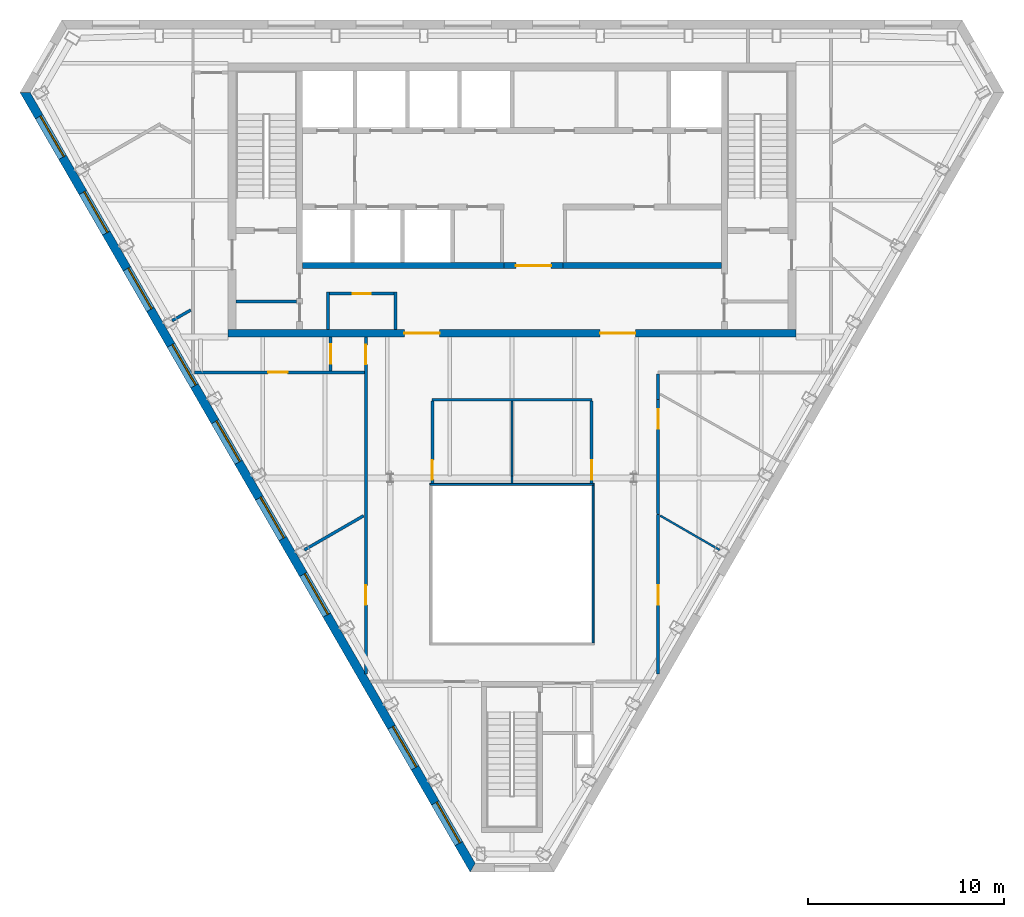
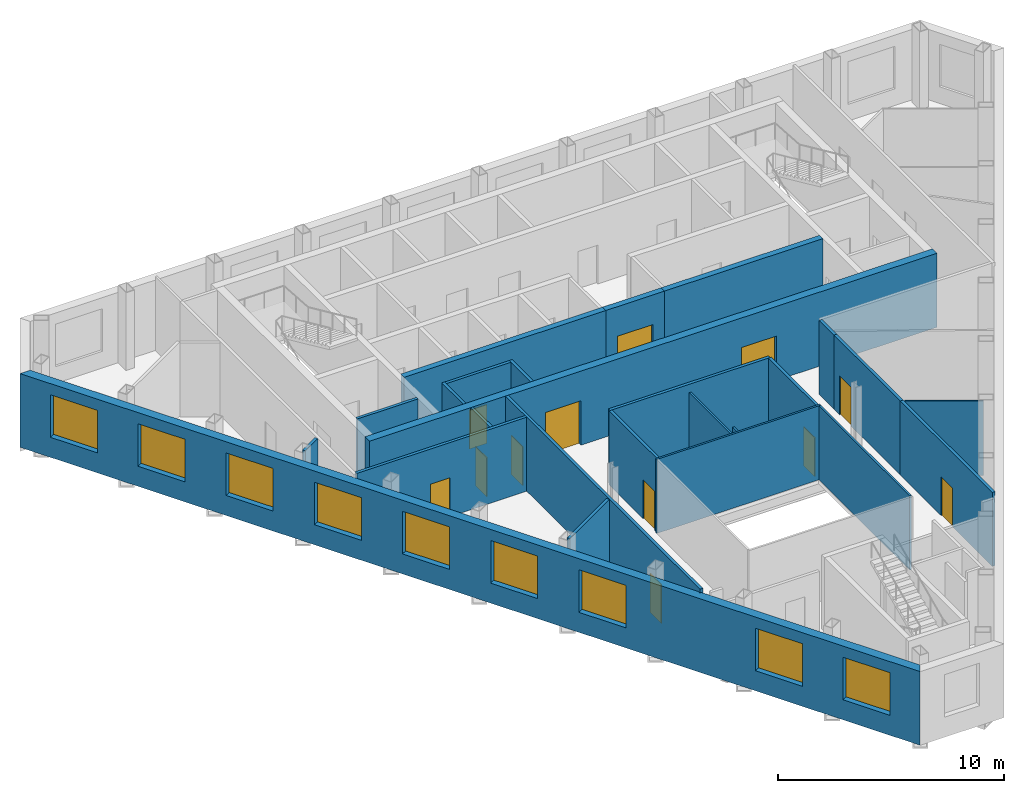
# One storey, part 4 of 9: 25 walls, 12 doors, 9 windows, 21 openings.
"""IFC4 building model written with IfcOpenShell, lengths in metres."""

from ifc_helpers import new_model, si_unit, direction, frame, frame_2d, origin, place, context, subcontext, project, spatial, polyline, rectangle, outline, extrude, material, layer, layer_set, type_object, element, fill, save


model = new_model("IFC4")

# Units and contexts
model_context = context("Model", 3, precision=1e-05, world=origin(), true_north=direction((0.0, 1.0)))
body_context = subcontext(model_context, "Body", "Model", "MODEL_VIEW")
ifc_project = project(units=[si_unit("LENGTHUNIT", "METRE"), si_unit("AREAUNIT", "SQUARE_METRE"), si_unit("VOLUMEUNIT", "CUBIC_METRE"), si_unit("PLANEANGLEUNIT", "RADIAN"), si_unit("MASSUNIT", "GRAM", prefix="KILO")], contexts=[model_context])

# Site, building, storey
site_placement = place(None, origin())
site = spatial("IfcSite", under=ifc_project, at=site_placement, CompositionType="ELEMENT")
building_placement = place(site_placement, origin())
building = spatial("IfcBuilding", under=site, at=building_placement, Name="Njiva Tower", CompositionType="ELEMENT")
storey_placement = place(building_placement, frame((0.0, 0.0, 321.0)))
storey = spatial("IfcBuildingStorey", under=building, at=storey_placement, Name="L73", CompositionType="ELEMENT", Elevation=321.0)

# Walls
ifc_material_1 = material(Name="Blockwork", Category="masonry")
ifc_layer_1 = layer(ifc_material_1, 0.15)
ifc_layer_set_1 = layer_set([ifc_layer_1], Name="Blockwork")
wall_type_1 = type_object("IfcWallType", Name="WT1 Compartment partition 150", PredefinedType="PARTITIONING", material=ifc_layer_set_1)
wall_1_placement = place(storey_placement, frame((-14.1, 5.825, 0.0), z_axis=(0.0, 0.0, 1.0), x_axis=(1.0, 0.0, 0.0)))
element("IfcWall", 1, at=wall_1_placement, inside=storey, type_object=wall_type_1, Name="Room wall A", PredefinedType="PARTITIONING", context=body_context, shape_type="SweptSolid", body=[
    extrude(rectangle(XDim=3.1, YDim=0.15, at=frame_2d((1.55, 0.0))), origin(), (0.0, 0.0, 1.0), 4.0),
])
for number, where, z_axis, x_axis, name in (
    (2, (-9.4, 4.4, 0.0), (0.0, 0.0, 1.0), (0.0, 1.0, 0.0), "First aid room wall west"),
    (3, (-5.95, 4.4, 0.0), (0.0, 0.0, 1.0), (0.0, 1.0, 0.0), "First aid room wall east"),
):
    element("IfcWall", number, at=place(storey_placement, frame(where, z_axis=z_axis, x_axis=x_axis)), inside=storey, type_object=wall_type_1, Name=name, PredefinedType="PARTITIONING", context=body_context, shape_type="SweptSolid", body=[
        extrude(rectangle(XDim=1.895, YDim=0.15, at=frame_2d((0.9475, 0.0))), origin(), (0.0, 0.0, 1.0), 4.0),
    ])

# Wall, opening, door
wall_2_placement = place(storey_placement, frame((-9.325, 6.22, 0.0), z_axis=(0.0, 0.0, 1.0), x_axis=(1.0, 0.0, 0.0)))
wall_2 = element("IfcWall", 4, at=wall_2_placement, inside=storey, type_object=wall_type_1, Name="First aid room wall north", PredefinedType="PARTITIONING", context=body_context, shape_type="SweptSolid", body=[
    extrude(rectangle(XDim=3.3, YDim=0.15, at=frame_2d((1.65, 0.0))), origin(), (0.0, 0.0, 1.0), 4.0),
])
opening_1_placement = place(wall_2_placement, frame((1.2, 0.0, 0.0)))
opening_1 = element("IfcOpeningElement", 5, at=opening_1_placement, cuts=wall_2, Name="Opening S25-D923", PredefinedType="OPENING", context=body_context, shape_type="SweptSolid", body=[
    extrude(rectangle(XDim=0.9, YDim=2.1, at=frame_2d((0.45, 1.05))), frame((0.0, 0.085, 0.0), z_axis=(0.0, -1.0, 0.0), x_axis=(1.0, 0.0, 0.0)), (0.0, 0.0, 1.0), 0.17),
])
ifc_material_2 = material(Name="Steel fire door, painted", Category="steel")
door_type_1 = type_object("IfcDoorType", Name="D6 Fire-rated door 900x2100", OperationType="SINGLE_SWING_LEFT", PredefinedType="DOOR", material=ifc_material_2)
door_1_placement = place(opening_1_placement, origin())
door_1 = element("IfcDoor", 6, at=door_1_placement, inside=storey, type_object=door_type_1, Name="First aid room door", OperationType="SINGLE_SWING_RIGHT", OverallHeight=2.1, OverallWidth=0.9, PredefinedType="DOOR", context=body_context, shape_type="SweptSolid", body=[
    extrude(rectangle(XDim=0.9, YDim=2.1, at=frame_2d((0.45, 1.05))), frame((0.0, 0.025, 0.0), z_axis=(0.0, -1.0, 0.0), x_axis=(1.0, 0.0, 0.0)), (0.0, 0.0, 1.0), 0.05),
])
fill(opening_1, door_1)

# Wall, openings, doors
ifc_material_3 = material(Name="Concrete C60/75", Category="concrete")
ifc_layer_2 = layer(ifc_material_3, 0.4)
ifc_layer_set_2 = layer_set([ifc_layer_2], Name="Concrete C60/75")
wall_type_2 = type_object("IfcWallType", Name="WT11 Core wall 400", PredefinedType="SHEAR", material=ifc_layer_set_2)
wall_3_placement = place(storey_placement, frame((-14.5, 4.2, 0.0), z_axis=(0.0, 0.0, 1.0), x_axis=(1.0, 0.0, 0.0)))
wall_3 = element("IfcWall", 7, at=wall_3_placement, inside=storey, type_object=wall_type_2, Name="Core wall south", PredefinedType="SHEAR", context=body_context, shape_type="SweptSolid", body=[
    extrude(rectangle(XDim=29.0, YDim=0.4, at=frame_2d((14.5, 0.0))), origin(), (0.0, 0.0, 1.0), 4.0),
])
opening_2_placement = place(wall_3_placement, frame((9.0, 0.0, 0.0)))
opening_2 = element("IfcOpeningElement", 8, at=opening_2_placement, cuts=wall_3, Name="Opening S25-D925", PredefinedType="OPENING", context=body_context, shape_type="SweptSolid", body=[
    extrude(rectangle(XDim=1.8, YDim=2.4, at=frame_2d((0.9, 1.2))), frame((0.0, 0.21, 0.0), z_axis=(0.0, -1.0, 0.0), x_axis=(1.0, 0.0, 0.0)), (0.0, 0.0, 1.0), 0.42),
])
opening_3_placement = place(wall_3_placement, frame((19.0, 0.0, 0.0)))
opening_3 = element("IfcOpeningElement", 9, at=opening_3_placement, cuts=wall_3, Name="Opening S25-D926", PredefinedType="OPENING", context=body_context, shape_type="SweptSolid", body=[
    extrude(rectangle(XDim=1.8, YDim=2.4, at=frame_2d((0.9, 1.2))), frame((0.0, 0.21, 0.0), z_axis=(0.0, -1.0, 0.0), x_axis=(1.0, 0.0, 0.0)), (0.0, 0.0, 1.0), 0.42),
])
ifc_material_4 = material(Name="Steel and glass door", Category="steel")
door_type_2 = type_object("IfcDoorType", Name="D3 Core entrance door 1800x2400", OperationType="DOUBLE_DOOR_SINGLE_SWING", PredefinedType="DOOR", material=ifc_material_4)
door_2_placement = place(opening_2_placement, origin())
door_2 = element("IfcDoor", 10, at=door_2_placement, inside=storey, type_object=door_type_2, Name="Core entrance door", OperationType="DOUBLE_DOOR_SINGLE_SWING", OverallHeight=2.4, OverallWidth=1.8, PredefinedType="DOOR", context=body_context, shape_type="SweptSolid", body=[
    extrude(rectangle(XDim=1.8, YDim=2.4, at=frame_2d((0.9, 1.2))), frame((0.0, 0.025, 0.0), z_axis=(0.0, -1.0, 0.0), x_axis=(1.0, 0.0, 0.0)), (0.0, 0.0, 1.0), 0.05),
])
fill(opening_2, door_2)
door_3_placement = place(opening_3_placement, origin())
door_3 = element("IfcDoor", 11, at=door_3_placement, inside=storey, type_object=door_type_2, Name="Core entrance door", OperationType="DOUBLE_DOOR_SINGLE_SWING", OverallHeight=2.4, OverallWidth=1.8, PredefinedType="DOOR", context=body_context, shape_type="SweptSolid", body=[
    extrude(rectangle(XDim=1.8, YDim=2.4, at=frame_2d((0.9, 1.2))), frame((0.0, 0.025, 0.0), z_axis=(0.0, -1.0, 0.0), x_axis=(1.0, 0.0, 0.0)), (0.0, 0.0, 1.0), 0.05),
])
fill(opening_3, door_3)

# Walls
ifc_material_5 = material(Name="Gypsum board on steel studs", Category="gypsum")
ifc_layer_3 = layer(ifc_material_5, 0.1)
ifc_layer_set_3 = layer_set([ifc_layer_3], Name="Gypsum board on steel studs")
wall_type_3 = type_object("IfcWallType", Name="WT20 Gypsum partition 100", PredefinedType="PARTITIONING", material=ifc_layer_set_3)
wall_4_placement = place(storey_placement, frame((-0.001, 0.725, 0.0), z_axis=(0.0, 0.0, 1.0), x_axis=(0.000235294111, -0.999999972318, 0.0)))
element("IfcWall", 12, at=wall_4_placement, inside=storey, type_object=wall_type_3, Name="Partition S25-P014", PredefinedType="PARTITIONING", context=body_context, shape_type="SweptSolid", body=[
    extrude(rectangle(XDim=3.825, YDim=0.1, at=frame_2d((1.9125, 0.0))), origin(), (0.0, 0.0, 1.0), 3.55),
])
wall_5_placement = place(storey_placement, frame((-0.0001, -3.1, 0.0), z_axis=(0.0, 0.0, 1.0), x_axis=(0.000263157886, -0.999999965374, 0.0)))
element("IfcWall", 13, at=wall_5_placement, inside=storey, type_object=wall_type_3, Name="Partition S25-P014A", PredefinedType="PARTITIONING", context=body_context, shape_type="SweptSolid", body=[
    extrude(rectangle(XDim=0.38, YDim=0.1, at=frame_2d((0.19, 0.0))), origin(), (0.0, 0.0, 1.0), 4.0),
])
wall_6_placement = place(storey_placement, frame((7.57, -5.121, 0.0), z_axis=(0.0, 0.0, 1.0), x_axis=(0.865933726818, -0.500158755556, 0.0)))
element("IfcWall", 14, at=wall_6_placement, inside=storey, type_object=wall_type_3, Name="Partition S25-P022", PredefinedType="PARTITIONING", context=body_context, shape_type="SweptSolid", body=[
    extrude(rectangle(XDim=3.5049, YDim=0.1, at=frame_2d((1.7524, 0.0))), origin(), (0.0, 0.0, 1.0), 4.0),
])
ifc_layer_4 = layer(ifc_material_5, 0.15)
ifc_layer_set_4 = layer_set([ifc_layer_4], Name="Gypsum board on steel studs")
wall_type_4 = type_object("IfcWallType", Name="WT21 Compartment wall 150", PredefinedType="PARTITIONING", material=ifc_layer_set_4)
wall_7_placement = place(storey_placement, frame((-17.365, 4.836, 0.0), z_axis=(0.0, 0.0, 1.0), x_axis=(0.86650329071, 0.499171360545, 0.0)))
element("IfcWall", 15, at=wall_7_placement, inside=storey, type_object=wall_type_4, Name="Partition S25-P003", PredefinedType="PARTITIONING", context=body_context, shape_type="SweptSolid", body=[
    extrude(rectangle(XDim=1.0998, YDim=0.15, at=frame_2d((0.5499, 0.0))), origin(), (0.0, 0.0, 1.0), 4.0),
])

# Wall, opening, door
wall_8_placement = place(storey_placement, frame((-16.225, 2.2, 0.0), z_axis=(0.0, 0.0, 1.0), x_axis=(1.0, 0.0, 0.0)))
wall_8 = element("IfcWall", 16, at=wall_8_placement, inside=storey, type_object=wall_type_4, Name="Partition S25-P006", PredefinedType="PARTITIONING", context=body_context, shape_type="SweptSolid", body=[
    extrude(rectangle(XDim=8.68, YDim=0.15, at=frame_2d((4.34, 0.0))), origin(), (0.0, 0.0, 1.0), 4.0),
])
opening_4_placement = place(wall_8_placement, frame((3.765, 0.0, 0.0)))
opening_4 = element("IfcOpeningElement", 17, at=opening_4_placement, cuts=wall_8, Name="Opening S25-D003", PredefinedType="OPENING", context=body_context, shape_type="SweptSolid", body=[
    extrude(rectangle(XDim=1.0, YDim=2.1, at=frame_2d((0.5, 1.05))), frame((0.0, 0.085, 0.0), z_axis=(0.0, -1.0, 0.0), x_axis=(1.0, 0.0, 0.0)), (0.0, 0.0, 1.0), 0.17),
])
ifc_material_6 = material(Name="Steel fire door set", Category="steel")
door_type_3 = type_object("IfcDoorType", Name="D37 Fire door 1000x2100", OperationType="SINGLE_SWING_LEFT", PredefinedType="DOOR", material=ifc_material_6)
door_4_placement = place(opening_4_placement, origin())
door_4 = element("IfcDoor", 18, at=door_4_placement, inside=storey, type_object=door_type_3, Name="Door S25-D003", OperationType="SINGLE_SWING_LEFT", OverallHeight=2.1, OverallWidth=1.0, PredefinedType="DOOR", context=body_context, shape_type="SweptSolid", body=[
    extrude(rectangle(XDim=1.0, YDim=2.1, at=frame_2d((0.5, 1.05))), frame((0.0, 0.025, 0.0), z_axis=(0.0, -1.0, 0.0), x_axis=(1.0, 0.0, 0.0)), (0.0, 0.0, 1.0), 0.05),
])
fill(opening_4, door_4)

# Wall
wall_9_placement = place(storey_placement, frame((-10.605, -6.873, 0.0), z_axis=(0.0, 0.0, 1.0), x_axis=(0.866190356265, 0.499714185023, 0.0)))
element("IfcWall", 19, at=wall_9_placement, inside=storey, type_object=wall_type_4, Name="Partition S25-P008", PredefinedType="PARTITIONING", context=body_context, shape_type="SweptSolid", body=[
    extrude(rectangle(XDim=3.49, YDim=0.15, at=frame_2d((1.745, 0.0))), origin(), (0.0, 0.0, 1.0), 4.0),
])

# Wall, opening, door
wall_10_placement = place(storey_placement, frame((-9.27, 2.275, 0.0), z_axis=(0.0, 0.0, 1.0), x_axis=(0.0, 1.0, 0.0)))
wall_10 = element("IfcWall", 20, at=wall_10_placement, inside=storey, type_object=wall_type_4, Name="Partition S25-P009", PredefinedType="PARTITIONING", context=body_context, shape_type="SweptSolid", body=[
    extrude(rectangle(XDim=1.725, YDim=0.15, at=frame_2d((0.8625, 0.0))), origin(), (0.0, 0.0, 1.0), 4.0),
])
opening_5_placement = place(wall_10_placement, frame((0.362, 0.0, 0.0)))
opening_5 = element("IfcOpeningElement", 21, at=opening_5_placement, cuts=wall_10, Name="Opening S25-D005", PredefinedType="OPENING", context=body_context, shape_type="SweptSolid", body=[
    extrude(rectangle(XDim=1.0, YDim=2.1, at=frame_2d((0.5, 1.05))), frame((0.0, 0.085, 0.0), z_axis=(0.0, -1.0, 0.0), x_axis=(1.0, 0.0, 0.0)), (0.0, 0.0, 1.0), 0.17),
])
door_5_placement = place(opening_5_placement, origin())
door_5 = element("IfcDoor", 22, at=door_5_placement, inside=storey, type_object=door_type_3, Name="Door S25-D005", OperationType="SINGLE_SWING_RIGHT", OverallHeight=2.1, OverallWidth=1.0, PredefinedType="DOOR", context=body_context, shape_type="SweptSolid", body=[
    extrude(rectangle(XDim=1.0, YDim=2.1, at=frame_2d((0.5, 1.05))), frame((0.0, 0.025, 0.0), z_axis=(0.0, -1.0, 0.0), x_axis=(1.0, 0.0, 0.0)), (0.0, 0.0, 1.0), 0.05),
])
fill(opening_5, door_5)

# Wall, openings, doors
wall_11_placement = place(storey_placement, frame((-7.47, -13.203, 0.0), z_axis=(0.0, 0.0, 1.0), x_axis=(0.0, 1.0, 0.0)))
wall_11 = element("IfcWall", 23, at=wall_11_placement, inside=storey, type_object=wall_type_4, Name="Partition S25-P010", PredefinedType="PARTITIONING", context=body_context, shape_type="SweptSolid", body=[
    extrude(rectangle(XDim=17.203, YDim=0.15, at=frame_2d((8.6015, 0.0))), origin(), (0.0, 0.0, 1.0), 4.0),
])
opening_6_placement = place(wall_11_placement, frame((3.519, 0.0, 0.0)))
opening_6 = element("IfcOpeningElement", 24, at=opening_6_placement, cuts=wall_11, Name="Opening S25-D006", PredefinedType="OPENING", context=body_context, shape_type="SweptSolid", body=[
    extrude(rectangle(XDim=1.0, YDim=2.1, at=frame_2d((0.5, 1.05))), frame((0.0, 0.085, 0.0), z_axis=(0.0, -1.0, 0.0), x_axis=(1.0, 0.0, 0.0)), (0.0, 0.0, 1.0), 0.17),
])
opening_7_placement = place(wall_11_placement, frame((15.803, 0.0, 0.0)))
opening_7 = element("IfcOpeningElement", 25, at=opening_7_placement, cuts=wall_11, Name="Opening S25-D007", PredefinedType="OPENING", context=body_context, shape_type="SweptSolid", body=[
    extrude(rectangle(XDim=1.0, YDim=2.1, at=frame_2d((0.5, 1.05))), frame((0.0, 0.085, 0.0), z_axis=(0.0, -1.0, 0.0), x_axis=(1.0, 0.0, 0.0)), (0.0, 0.0, 1.0), 0.17),
])
door_6_placement = place(opening_6_placement, origin())
door_6 = element("IfcDoor", 26, at=door_6_placement, inside=storey, type_object=door_type_3, Name="Door S25-D006", OperationType="SINGLE_SWING_RIGHT", OverallHeight=2.1, OverallWidth=1.0, PredefinedType="DOOR", context=body_context, shape_type="SweptSolid", body=[
    extrude(rectangle(XDim=1.0, YDim=2.1, at=frame_2d((0.5, 1.05))), frame((0.0, 0.025, 0.0), z_axis=(0.0, -1.0, 0.0), x_axis=(1.0, 0.0, 0.0)), (0.0, 0.0, 1.0), 0.05),
])
fill(opening_6, door_6)
door_7_placement = place(opening_7_placement, origin())
door_7 = element("IfcDoor", 27, at=door_7_placement, inside=storey, type_object=door_type_3, Name="Door S25-D007", OperationType="SINGLE_SWING_LEFT", OverallHeight=2.1, OverallWidth=1.0, PredefinedType="DOOR", context=body_context, shape_type="SweptSolid", body=[
    extrude(rectangle(XDim=1.0, YDim=2.1, at=frame_2d((0.5, 1.05))), frame((0.0, 0.025, 0.0), z_axis=(0.0, -1.0, 0.0), x_axis=(1.0, 0.0, 0.0)), (0.0, 0.0, 1.0), 0.05),
])
fill(opening_7, door_7)

# Wall
wall_12_placement = place(storey_placement, frame((-4.082, 0.8, 0.0), z_axis=(0.0, 0.0, 1.0), x_axis=(1.0, 0.0, 0.0)))
element("IfcWall", 28, at=wall_12_placement, inside=storey, type_object=wall_type_4, Name="Partition S25-P012", PredefinedType="PARTITIONING", context=body_context, shape_type="SweptSolid", body=[
    extrude(rectangle(XDim=8.163, YDim=0.15, at=frame_2d((4.0815, 0.0))), origin(), (0.0, 0.0, 1.0), 4.0),
])

# Wall, opening, door
wall_13_placement = place(storey_placement, frame((-4.07, 0.725, 0.0), z_axis=(0.0, 0.0, 1.0), x_axis=(0.000237812122, -0.999999971723, 0.0)))
wall_13 = element("IfcWall", 29, at=wall_13_placement, inside=storey, type_object=wall_type_4, Name="Partition S25-P013", PredefinedType="PARTITIONING", context=body_context, shape_type="SweptSolid", body=[
    extrude(rectangle(XDim=4.205, YDim=0.15, at=frame_2d((2.1025, 0.0))), origin(), (0.0, 0.0, 1.0), 4.0),
])
opening_8_placement = place(wall_13_placement, frame((3.005, 0.0, 0.0)))
opening_8 = element("IfcOpeningElement", 30, at=opening_8_placement, cuts=wall_13, Name="Opening S25-D009", PredefinedType="OPENING", context=body_context, shape_type="SweptSolid", body=[
    extrude(rectangle(XDim=1.0, YDim=2.1, at=frame_2d((0.5, 1.05))), frame((0.0, 0.085, 0.0), z_axis=(0.0, -1.0, 0.0), x_axis=(1.0, 0.0, 0.0)), (0.0, 0.0, 1.0), 0.17),
])
door_8_placement = place(opening_8_placement, origin())
door_8 = element("IfcDoor", 31, at=door_8_placement, inside=storey, type_object=door_type_3, Name="Door S25-D009", OperationType="SINGLE_SWING_LEFT", OverallHeight=2.1, OverallWidth=1.0, PredefinedType="DOOR", context=body_context, shape_type="SweptSolid", body=[
    extrude(rectangle(XDim=1.0, YDim=2.1, at=frame_2d((0.5, 1.05))), frame((0.0, 0.025, 0.0), z_axis=(0.0, -1.0, 0.0), x_axis=(1.0, 0.0, 0.0)), (0.0, 0.0, 1.0), 0.05),
])
fill(opening_8, door_8)

wall_14_placement = place(storey_placement, frame((4.069, 0.725, 0.0), z_axis=(0.0, 0.0, 1.0), x_axis=(0.000237812122, -0.999999971723, 0.0)))
wall_14 = element("IfcWall", 32, at=wall_14_placement, inside=storey, type_object=wall_type_4, Name="Partition S25-P015", PredefinedType="PARTITIONING", context=body_context, shape_type="SweptSolid", body=[
    extrude(rectangle(XDim=4.205, YDim=0.15, at=frame_2d((2.1025, 0.0))), origin(), (0.0, 0.0, 1.0), 4.0),
])
opening_9_placement = place(wall_14_placement, frame((3.005, 0.0, 0.0)))
opening_9 = element("IfcOpeningElement", 33, at=opening_9_placement, cuts=wall_14, Name="Opening S25-D010", PredefinedType="OPENING", context=body_context, shape_type="SweptSolid", body=[
    extrude(rectangle(XDim=1.0, YDim=2.1, at=frame_2d((0.5, 1.05))), frame((0.0, 0.085, 0.0), z_axis=(0.0, -1.0, 0.0), x_axis=(1.0, 0.0, 0.0)), (0.0, 0.0, 1.0), 0.17),
])
door_9_placement = place(opening_9_placement, origin())
door_9 = element("IfcDoor", 34, at=door_9_placement, inside=storey, type_object=door_type_3, Name="Door S25-D010", OperationType="SINGLE_SWING_RIGHT", OverallHeight=2.1, OverallWidth=1.0, PredefinedType="DOOR", context=body_context, shape_type="SweptSolid", body=[
    extrude(rectangle(XDim=1.0, YDim=2.1, at=frame_2d((0.5, 1.05))), frame((0.0, 0.025, 0.0), z_axis=(0.0, -1.0, 0.0), x_axis=(1.0, 0.0, 0.0)), (0.0, 0.0, 1.0), 0.05),
])
fill(opening_9, door_9)

wall_15_placement = place(storey_placement, frame((7.47, -13.203, 0.0), z_axis=(0.0, 0.0, 1.0), x_axis=(0.0, 1.0, 0.0)))
wall_15 = element("IfcWall", 35, at=wall_15_placement, inside=storey, type_object=wall_type_4, Name="Partition S25-P017", PredefinedType="PARTITIONING", context=body_context, shape_type="SweptSolid", body=[
    extrude(rectangle(XDim=8.15, YDim=0.15, at=frame_2d((4.075, 0.0))), origin(), (0.0, 0.0, 1.0), 4.0),
])
opening_10_placement = place(wall_15_placement, frame((3.519, 0.0, 0.0)))
opening_10 = element("IfcOpeningElement", 36, at=opening_10_placement, cuts=wall_15, Name="Opening S25-D011", PredefinedType="OPENING", context=body_context, shape_type="SweptSolid", body=[
    extrude(rectangle(XDim=1.0, YDim=2.1, at=frame_2d((0.5, 1.05))), frame((0.0, 0.085, 0.0), z_axis=(0.0, -1.0, 0.0), x_axis=(1.0, 0.0, 0.0)), (0.0, 0.0, 1.0), 0.17),
])
door_10_placement = place(opening_10_placement, origin())
door_10 = element("IfcDoor", 37, at=door_10_placement, inside=storey, type_object=door_type_3, Name="Door S25-D011", OperationType="SINGLE_SWING_LEFT", OverallHeight=2.1, OverallWidth=1.0, PredefinedType="DOOR", context=body_context, shape_type="SweptSolid", body=[
    extrude(rectangle(XDim=1.0, YDim=2.1, at=frame_2d((0.5, 1.05))), frame((0.0, 0.025, 0.0), z_axis=(0.0, -1.0, 0.0), x_axis=(1.0, 0.0, 0.0)), (0.0, 0.0, 1.0), 0.05),
])
fill(opening_10, door_10)

wall_16_placement = place(storey_placement, frame((7.47, 0.812, 0.0), z_axis=(0.0, 0.0, 1.0), x_axis=(0.000170502981, -0.999999985464, 0.0)))
wall_16 = element("IfcWall", 38, at=wall_16_placement, inside=storey, type_object=wall_type_4, Name="Partition S25-P018", PredefinedType="PARTITIONING", context=body_context, shape_type="SweptSolid", body=[
    extrude(rectangle(XDim=5.865, YDim=0.15, at=frame_2d((2.9325, 0.0))), origin(), (0.0, 0.0, 1.0), 4.0),
])
opening_11_placement = place(wall_16_placement, frame((0.504, 0.0, 0.0)))
opening_11 = element("IfcOpeningElement", 39, at=opening_11_placement, cuts=wall_16, Name="Opening S25-D012", PredefinedType="OPENING", context=body_context, shape_type="SweptSolid", body=[
    extrude(rectangle(XDim=1.0, YDim=2.1, at=frame_2d((0.5, 1.05))), frame((0.0, 0.085, 0.0), z_axis=(0.0, -1.0, 0.0), x_axis=(1.0, 0.0, 0.0)), (0.0, 0.0, 1.0), 0.17),
])
door_11_placement = place(opening_11_placement, origin())
door_11 = element("IfcDoor", 40, at=door_11_placement, inside=storey, type_object=door_type_3, Name="Door S25-D012", OperationType="SINGLE_SWING_RIGHT", OverallHeight=2.1, OverallWidth=1.0, PredefinedType="DOOR", context=body_context, shape_type="SweptSolid", body=[
    extrude(rectangle(XDim=1.0, YDim=2.1, at=frame_2d((0.5, 1.05))), frame((0.0, 0.025, 0.0), z_axis=(0.0, -1.0, 0.0), x_axis=(1.0, 0.0, 0.0)), (0.0, 0.0, 1.0), 0.05),
])
fill(opening_11, door_11)

# Wall
wall_17_placement = place(storey_placement, frame((7.47, 0.812, 0.0), z_axis=(0.0, 0.0, 1.0), x_axis=(0.0, 1.0, 0.0)))
element("IfcWall", 41, at=wall_17_placement, inside=storey, type_object=wall_type_4, Name="Partition S25-P019", PredefinedType="PARTITIONING", context=body_context, shape_type="SweptSolid", body=[
    extrude(rectangle(XDim=1.313, YDim=0.15, at=frame_2d((0.6565, 0.0))), origin(), (0.0, 0.0, 1.0), 4.0),
])

# Wall, opening, door
ifc_layer_5 = layer(ifc_material_1, 0.3)
ifc_layer_set_5 = layer_set([ifc_layer_5], Name="Blockwork")
wall_type_5 = type_object("IfcWallType", Name="WT5 Lobby partition 300", PredefinedType="PARTITIONING", material=ifc_layer_set_5)
wall_18_placement = place(storey_placement, frame((-0.4, 7.65, 0.0), z_axis=(0.0, 0.0, 1.0), x_axis=(1.0, 0.0, 0.0)))
wall_18 = element("IfcWall", 42, at=wall_18_placement, inside=storey, type_object=wall_type_5, Name="Lift lobby screen wall", PredefinedType="PARTITIONING", context=body_context, shape_type="SweptSolid", body=[
    extrude(rectangle(XDim=3.0, YDim=0.3, at=frame_2d((1.5, 0.0))), origin(), (0.0, 0.0, 1.0), 4.0),
])
opening_12_placement = place(wall_18_placement, frame((0.6, 0.0, 0.0)))
opening_12 = element("IfcOpeningElement", 43, at=opening_12_placement, cuts=wall_18, Name="Opening S25-D924", PredefinedType="OPENING", context=body_context, shape_type="SweptSolid", body=[
    extrude(rectangle(XDim=1.8, YDim=2.4, at=frame_2d((0.9, 1.2))), frame((0.0, 0.16, 0.0), z_axis=(0.0, -1.0, 0.0), x_axis=(1.0, 0.0, 0.0)), (0.0, 0.0, 1.0), 0.32),
])
door_12_placement = place(opening_12_placement, origin())
door_12 = element("IfcDoor", 44, at=door_12_placement, inside=storey, type_object=door_type_2, Name="Core entrance door", OperationType="DOUBLE_DOOR_SINGLE_SWING", OverallHeight=2.4, OverallWidth=1.8, PredefinedType="DOOR", context=body_context, shape_type="SweptSolid", body=[
    extrude(rectangle(XDim=1.8, YDim=2.4, at=frame_2d((0.9, 1.2))), frame((0.0, 0.025, 0.0), z_axis=(0.0, -1.0, 0.0), x_axis=(1.0, 0.0, 0.0)), (0.0, 0.0, 1.0), 0.05),
])
fill(opening_12, door_12)

# Walls
ifc_material_7 = material(Name="Concrete C40/50", Category="concrete")
ifc_layer_6 = layer(ifc_material_7, 0.3)
ifc_layer_set_6 = layer_set([ifc_layer_6], Name="Concrete C40/50")
wall_type_6 = type_object("IfcWallType", Name="WT7 Lift shaft wall 300", PredefinedType="SHEAR", material=ifc_layer_set_6)
wall_19_placement = place(storey_placement, frame((-10.7, 7.65, 0.0), z_axis=(0.0, 0.0, 1.0), x_axis=(1.0, 0.0, 0.0)))
element("IfcWall", 45, at=wall_19_placement, inside=storey, type_object=wall_type_6, Name="Shaft wall south row back W", PredefinedType="SHEAR", context=body_context, shape_type="SweptSolid", body=[
    extrude(rectangle(XDim=10.3, YDim=0.3, at=frame_2d((5.15, 0.0))), origin(), (0.0, 0.0, 1.0), 4.0),
])
wall_20_placement = place(storey_placement, frame((2.6, 7.65, 0.0), z_axis=(0.0, 0.0, 1.0), x_axis=(1.0, 0.0, 0.0)))
element("IfcWall", 46, at=wall_20_placement, inside=storey, type_object=wall_type_6, Name="Shaft wall south row back E", PredefinedType="SHEAR", context=body_context, shape_type="SweptSolid", body=[
    extrude(rectangle(XDim=8.1, YDim=0.3, at=frame_2d((4.05, 0.0))), origin(), (0.0, 0.0, 1.0), 4.0),
])

# Wall, openings, windows
ifc_material_8 = material(Name="Brick masonry", Category="masonry")
ifc_layer_7 = layer(ifc_material_8, 0.45)
ifc_layer_set_7 = layer_set([ifc_layer_7], Name="Brick masonry")
wall_type_7 = type_object("IfcWallType", Name="WT90 Brick pier and spandrel wall 450", PredefinedType="SOLIDWALL", material=ifc_layer_set_7)
wall_21_placement = place(storey_placement, frame((-24.8752, 16.4934, -0.18), z_axis=(0.0, 0.0, 1.0), x_axis=(0.500000141277, -0.866025322218, 0.0)))
wall_21 = element("IfcWall", 47, at=wall_21_placement, inside=storey, type_object=wall_type_7, Name="Facade wall SW", PredefinedType="SOLIDWALL", context=body_context, shape_type="SweptSolid", body=[
    extrude(outline(polyline([(-0.1299, -0.225), (45.8601, -0.225), (45.6003, 0.225), (0.1299, 0.225), (-0.1299, -0.225)])), origin(), (0.0, 0.0, 1.0), 3.98),
])
opening_13_placement = place(wall_21_placement, frame((1.4237, 0.0, 1.08)))
opening_13 = element("IfcOpeningElement", 48, at=opening_13_placement, cuts=wall_21, Name="Opening S25-W09", PredefinedType="OPENING", context=body_context, shape_type="SweptSolid", body=[
    extrude(rectangle(XDim=2.4, YDim=2.3, at=frame_2d((1.2, 1.15))), frame((0.0, 0.235, 0.0), z_axis=(0.0, -1.0, 0.0), x_axis=(1.0, 0.0, 0.0)), (0.0, 0.0, 1.0), 0.47),
])
opening_14_placement = place(wall_21_placement, frame((5.8919, 0.0, 1.08)))
opening_14 = element("IfcOpeningElement", 49, at=opening_14_placement, cuts=wall_21, Name="Opening S25-W10", PredefinedType="OPENING", context=body_context, shape_type="SweptSolid", body=[
    extrude(rectangle(XDim=2.4, YDim=2.3, at=frame_2d((1.2, 1.15))), frame((0.0, 0.235, 0.0), z_axis=(0.0, -1.0, 0.0), x_axis=(1.0, 0.0, 0.0)), (0.0, 0.0, 1.0), 0.47),
])
opening_15_placement = place(wall_21_placement, frame((10.3985, 0.0, 1.08)))
opening_15 = element("IfcOpeningElement", 50, at=opening_15_placement, cuts=wall_21, Name="Opening S25-W11", PredefinedType="OPENING", context=body_context, shape_type="SweptSolid", body=[
    extrude(rectangle(XDim=2.4, YDim=2.3, at=frame_2d((1.2, 1.15))), frame((0.0, 0.235, 0.0), z_axis=(0.0, -1.0, 0.0), x_axis=(1.0, 0.0, 0.0)), (0.0, 0.0, 1.0), 0.47),
])
opening_16_placement = place(wall_21_placement, frame((14.9052, 0.0, 1.08)))
opening_16 = element("IfcOpeningElement", 51, at=opening_16_placement, cuts=wall_21, Name="Opening S25-W12", PredefinedType="OPENING", context=body_context, shape_type="SweptSolid", body=[
    extrude(rectangle(XDim=2.4, YDim=2.3, at=frame_2d((1.2, 1.15))), frame((0.0, 0.235, 0.0), z_axis=(0.0, -1.0, 0.0), x_axis=(1.0, 0.0, 0.0)), (0.0, 0.0, 1.0), 0.47),
])
opening_17_placement = place(wall_21_placement, frame((19.4118, 0.0, 1.08)))
opening_17 = element("IfcOpeningElement", 52, at=opening_17_placement, cuts=wall_21, Name="Opening S25-W13", PredefinedType="OPENING", context=body_context, shape_type="SweptSolid", body=[
    extrude(rectangle(XDim=2.4, YDim=2.3, at=frame_2d((1.2, 1.15))), frame((0.0, 0.235, 0.0), z_axis=(0.0, -1.0, 0.0), x_axis=(1.0, 0.0, 0.0)), (0.0, 0.0, 1.0), 0.47),
])
opening_18_placement = place(wall_21_placement, frame((23.9184, 0.0, 1.08)))
opening_18 = element("IfcOpeningElement", 53, at=opening_18_placement, cuts=wall_21, Name="Opening S25-W14", PredefinedType="OPENING", context=body_context, shape_type="SweptSolid", body=[
    extrude(rectangle(XDim=2.4, YDim=2.3, at=frame_2d((1.2, 1.15))), frame((0.0, 0.235, 0.0), z_axis=(0.0, -1.0, 0.0), x_axis=(1.0, 0.0, 0.0)), (0.0, 0.0, 1.0), 0.47),
])
opening_19_placement = place(wall_21_placement, frame((28.425, 0.0, 1.08)))
opening_19 = element("IfcOpeningElement", 54, at=opening_19_placement, cuts=wall_21, Name="Opening S25-W15", PredefinedType="OPENING", context=body_context, shape_type="SweptSolid", body=[
    extrude(rectangle(XDim=2.4, YDim=2.3, at=frame_2d((1.2, 1.15))), frame((0.0, 0.235, 0.0), z_axis=(0.0, -1.0, 0.0), x_axis=(1.0, 0.0, 0.0)), (0.0, 0.0, 1.0), 0.47),
])
opening_20_placement = place(wall_21_placement, frame((37.4383, 0.0, 1.08)))
opening_20 = element("IfcOpeningElement", 55, at=opening_20_placement, cuts=wall_21, Name="Opening S25-W16", PredefinedType="OPENING", context=body_context, shape_type="SweptSolid", body=[
    extrude(rectangle(XDim=2.4, YDim=2.3, at=frame_2d((1.2, 1.15))), frame((0.0, 0.235, 0.0), z_axis=(0.0, -1.0, 0.0), x_axis=(1.0, 0.0, 0.0)), (0.0, 0.0, 1.0), 0.47),
])
opening_21_placement = place(wall_21_placement, frame((41.9065, 0.0, 1.08)))
opening_21 = element("IfcOpeningElement", 56, at=opening_21_placement, cuts=wall_21, Name="Opening S25-W17", PredefinedType="OPENING", context=body_context, shape_type="SweptSolid", body=[
    extrude(rectangle(XDim=2.4, YDim=2.3, at=frame_2d((1.2, 1.15))), frame((0.0, 0.235, 0.0), z_axis=(0.0, -1.0, 0.0), x_axis=(1.0, 0.0, 0.0)), (0.0, 0.0, 1.0), 0.47),
])
ifc_material_9 = material(Name="Clear glazing in aluminium frame", Category="aluminium")
window_type = type_object("IfcWindowType", Name="W91 Deep-set window 2400x2300", PartitioningType="SINGLE_PANEL", PredefinedType="WINDOW", material=ifc_material_9)
window_1_placement = place(opening_13_placement, origin())
window_1 = element("IfcWindow", 57, at=window_1_placement, inside=storey, type_object=window_type, Name="Window", OverallHeight=2.3, OverallWidth=2.4, PartitioningType="SINGLE_PANEL", PredefinedType="WINDOW", context=body_context, shape_type="SweptSolid", body=[
    extrude(rectangle(XDim=2.4, YDim=2.3, at=frame_2d((1.2, 1.15))), frame((0.0, 0.105, 0.0), z_axis=(0.0, -1.0, 0.0), x_axis=(1.0, 0.0, 0.0)), (0.0, 0.0, 1.0), 0.06),
])
fill(opening_13, window_1)
window_2_placement = place(opening_14_placement, origin())
window_2 = element("IfcWindow", 58, at=window_2_placement, inside=storey, type_object=window_type, Name="Window", OverallHeight=2.3, OverallWidth=2.4, PartitioningType="SINGLE_PANEL", PredefinedType="WINDOW", context=body_context, shape_type="SweptSolid", body=[
    extrude(rectangle(XDim=2.4, YDim=2.3, at=frame_2d((1.2, 1.15))), frame((0.0, 0.105, 0.0), z_axis=(0.0, -1.0, 0.0), x_axis=(1.0, 0.0, 0.0)), (0.0, 0.0, 1.0), 0.06),
])
fill(opening_14, window_2)
window_3_placement = place(opening_15_placement, origin())
window_3 = element("IfcWindow", 59, at=window_3_placement, inside=storey, type_object=window_type, Name="Window", OverallHeight=2.3, OverallWidth=2.4, PartitioningType="SINGLE_PANEL", PredefinedType="WINDOW", context=body_context, shape_type="SweptSolid", body=[
    extrude(rectangle(XDim=2.4, YDim=2.3, at=frame_2d((1.2, 1.15))), frame((0.0, 0.105, 0.0), z_axis=(0.0, -1.0, 0.0), x_axis=(1.0, 0.0, 0.0)), (0.0, 0.0, 1.0), 0.06),
])
fill(opening_15, window_3)
window_4_placement = place(opening_16_placement, origin())
window_4 = element("IfcWindow", 60, at=window_4_placement, inside=storey, type_object=window_type, Name="Window", OverallHeight=2.3, OverallWidth=2.4, PartitioningType="SINGLE_PANEL", PredefinedType="WINDOW", context=body_context, shape_type="SweptSolid", body=[
    extrude(rectangle(XDim=2.4, YDim=2.3, at=frame_2d((1.2, 1.15))), frame((0.0, 0.105, 0.0), z_axis=(0.0, -1.0, 0.0), x_axis=(1.0, 0.0, 0.0)), (0.0, 0.0, 1.0), 0.06),
])
fill(opening_16, window_4)
window_5_placement = place(opening_17_placement, origin())
window_5 = element("IfcWindow", 61, at=window_5_placement, inside=storey, type_object=window_type, Name="Window", OverallHeight=2.3, OverallWidth=2.4, PartitioningType="SINGLE_PANEL", PredefinedType="WINDOW", context=body_context, shape_type="SweptSolid", body=[
    extrude(rectangle(XDim=2.4, YDim=2.3, at=frame_2d((1.2, 1.15))), frame((0.0, 0.105, 0.0), z_axis=(0.0, -1.0, 0.0), x_axis=(1.0, 0.0, 0.0)), (0.0, 0.0, 1.0), 0.06),
])
fill(opening_17, window_5)
window_6_placement = place(opening_18_placement, origin())
window_6 = element("IfcWindow", 62, at=window_6_placement, inside=storey, type_object=window_type, Name="Window", OverallHeight=2.3, OverallWidth=2.4, PartitioningType="SINGLE_PANEL", PredefinedType="WINDOW", context=body_context, shape_type="SweptSolid", body=[
    extrude(rectangle(XDim=2.4, YDim=2.3, at=frame_2d((1.2, 1.15))), frame((0.0, 0.105, 0.0), z_axis=(0.0, -1.0, 0.0), x_axis=(1.0, 0.0, 0.0)), (0.0, 0.0, 1.0), 0.06),
])
fill(opening_18, window_6)
window_7_placement = place(opening_19_placement, origin())
window_7 = element("IfcWindow", 63, at=window_7_placement, inside=storey, type_object=window_type, Name="Window", OverallHeight=2.3, OverallWidth=2.4, PartitioningType="SINGLE_PANEL", PredefinedType="WINDOW", context=body_context, shape_type="SweptSolid", body=[
    extrude(rectangle(XDim=2.4, YDim=2.3, at=frame_2d((1.2, 1.15))), frame((0.0, 0.105, 0.0), z_axis=(0.0, -1.0, 0.0), x_axis=(1.0, 0.0, 0.0)), (0.0, 0.0, 1.0), 0.06),
])
fill(opening_19, window_7)
window_8_placement = place(opening_20_placement, origin())
window_8 = element("IfcWindow", 64, at=window_8_placement, inside=storey, type_object=window_type, Name="Window", OverallHeight=2.3, OverallWidth=2.4, PartitioningType="SINGLE_PANEL", PredefinedType="WINDOW", context=body_context, shape_type="SweptSolid", body=[
    extrude(rectangle(XDim=2.4, YDim=2.3, at=frame_2d((1.2, 1.15))), frame((0.0, 0.105, 0.0), z_axis=(0.0, -1.0, 0.0), x_axis=(1.0, 0.0, 0.0)), (0.0, 0.0, 1.0), 0.06),
])
fill(opening_20, window_8)
window_9_placement = place(opening_21_placement, origin())
window_9 = element("IfcWindow", 65, at=window_9_placement, inside=storey, type_object=window_type, Name="Window", OverallHeight=2.3, OverallWidth=2.4, PartitioningType="SINGLE_PANEL", PredefinedType="WINDOW", context=body_context, shape_type="SweptSolid", body=[
    extrude(rectangle(XDim=2.4, YDim=2.3, at=frame_2d((1.2, 1.15))), frame((0.0, 0.105, 0.0), z_axis=(0.0, -1.0, 0.0), x_axis=(1.0, 0.0, 0.0)), (0.0, 0.0, 1.0), 0.06),
])
fill(opening_21, window_9)

# Walls
ifc_material_10 = material(Name="Fire-resisting glazing EI 90", Category="glass")
ifc_layer_8 = layer(ifc_material_10, 0.1)
ifc_layer_set_8 = layer_set([ifc_layer_8], Name="Fire-resisting glazing EI 90")
wall_type_8 = type_object("IfcWallType", Name="WT95 Fire-resisting glazed screen EI 90", PredefinedType="PARTITIONING", material=ifc_layer_set_8)
wall_22_placement = place(storey_placement, frame((4.14, -11.62, 0.0), z_axis=(0.0, 0.0, 1.0), x_axis=(0.0, 1.0, 0.0)))
element("IfcWall", 66, at=wall_22_placement, inside=storey, type_object=wall_type_8, Name="Atrium fire screen east", PredefinedType="PARTITIONING", context=body_context, shape_type="SweptSolid", body=[
    extrude(rectangle(XDim=8.04, YDim=0.1, at=frame_2d((4.02, 0.0))), origin(), (0.0, 0.0, 1.0), 4.0),
])
wall_23_placement = place(storey_placement, frame((4.19, -3.53, 0.0), z_axis=(0.0, 0.0, 1.0), x_axis=(-1.0, 0.0, 0.0)))
element("IfcWall", 67, at=wall_23_placement, inside=storey, type_object=wall_type_8, Name="Atrium fire screen north", PredefinedType="PARTITIONING", context=body_context, shape_type="SweptSolid", body=[
    extrude(rectangle(XDim=8.38, YDim=0.1, at=frame_2d((4.19, 0.0))), origin(), (0.0, 0.0, 1.0), 4.0),
])

save(model, "model.ifc")
